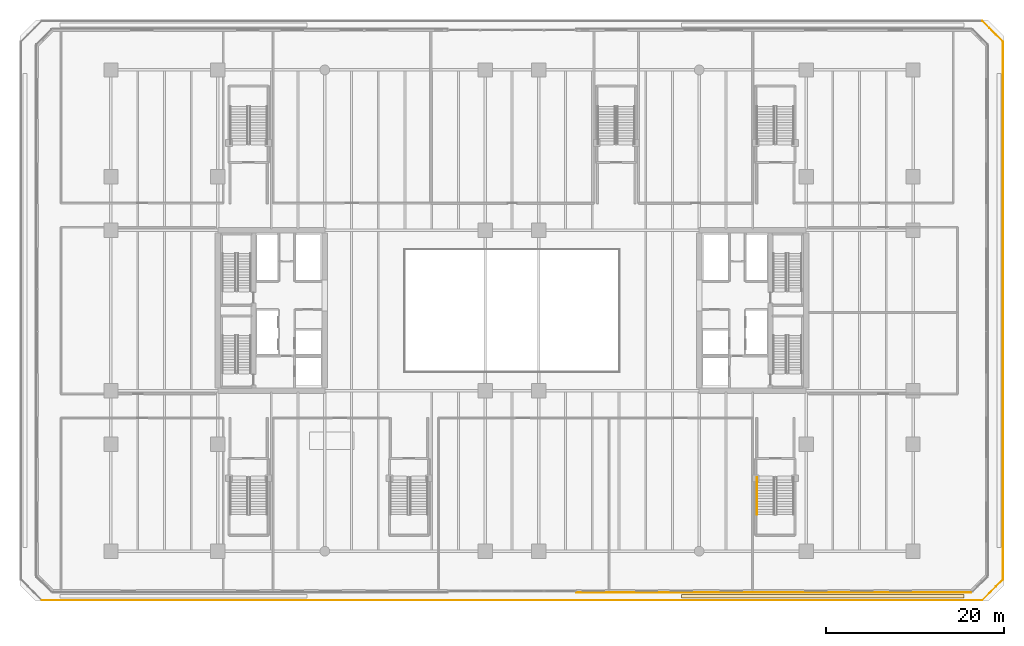
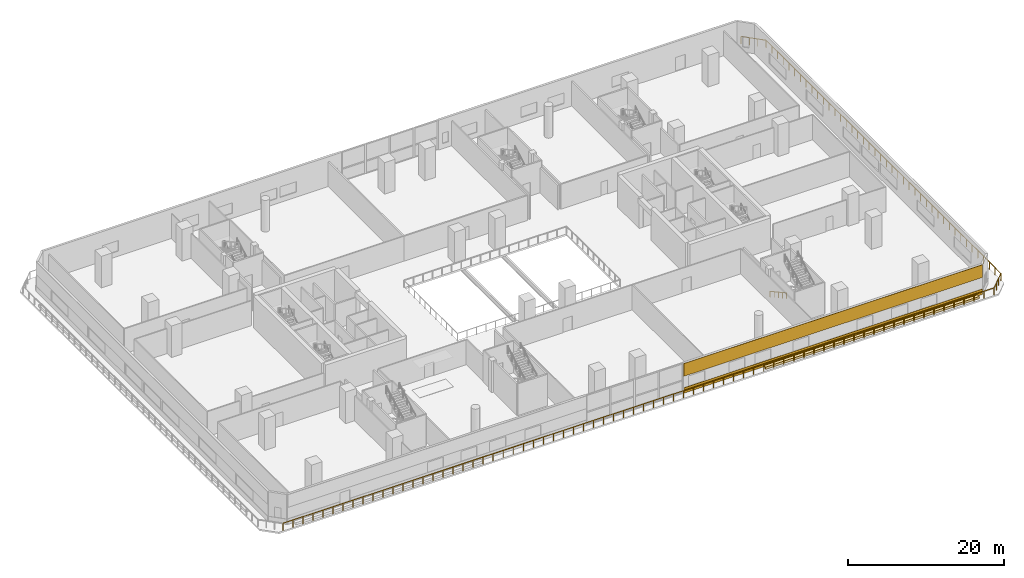
# One storey, part 24 of 27: 3 coverings, 2 railings.
"""IFC4 building model written with IfcOpenShell, lengths in metres."""

from ifc_helpers import new_model, si_unit, direction, frame, origin, origin_2d, place, context, subcontext, project, spatial, polyline, rectangle, outline, extrude, material, layer, layer_set, type_object, element, save


model = new_model("IFC4")

# Units and contexts
model_context = context("Model", 3, precision=1e-05, world=origin(), true_north=direction((0.0, 1.0)))
body_context = subcontext(model_context, "Body", "Model", "MODEL_VIEW")
ifc_project = project(units=[si_unit("LENGTHUNIT", "METRE"), si_unit("AREAUNIT", "SQUARE_METRE"), si_unit("VOLUMEUNIT", "CUBIC_METRE"), si_unit("PLANEANGLEUNIT", "RADIAN"), si_unit("MASSUNIT", "GRAM", prefix="KILO")], contexts=[model_context])

# Site, building, storey
site_placement = place(None, origin())
site = spatial("IfcSite", under=ifc_project, at=site_placement, CompositionType="ELEMENT")
building_placement = place(site_placement, origin())
building = spatial("IfcBuilding", under=site, at=building_placement, Name="Tanjung Sevakor Pilgrim Tower", CompositionType="ELEMENT")
storey_placement = place(building_placement, frame((0.0, 0.0, 9.89990234375)))
storey = spatial("IfcBuildingStorey", under=building, at=storey_placement, Name="L03", CompositionType="ELEMENT", Elevation=9.89990234375)

# Coverings
ifc_material_1 = material(Name="Reconstructed Limestone Cladding", Category="masonry")
ifc_layer_1 = layer(ifc_material_1, 0.044921875)
ifc_layer_set_1 = layer_set([ifc_layer_1], Name="COV-CLAD-LIMESTONE")
covering_type_1 = type_object("IfcCoveringType", Name="COV-CLAD-LIMESTONE", PredefinedType="CLADDING", material=ifc_layer_set_1)
covering_1_placement = place(storey_placement, frame((86.368896484375, 1.9775390625, 0.01025390625), z_axis=(0.0, 0.0, 1.0), x_axis=(1.0, 0.0, 0.0)))
element("IfcCovering", 1, at=covering_1_placement, inside=storey, type_object=covering_type_1, Name="L03 Warm Limestone Sill Spandrel EW-L03-S2-1", PredefinedType="CLADDING", context=body_context, shape_type="SweptSolid", body=[
    extrude(rectangle(XDim=44.2578125, YDim=0.044921875, at=origin_2d()), origin(), (0.0, 0.0, 1.0), 0.840087890625),
])
covering_2_placement = place(storey_placement, frame((86.368896484375, 1.9775390625, 2.66015625), z_axis=(0.0, 0.0, 1.0), x_axis=(1.0, 0.0, 0.0)))
element("IfcCovering", 2, at=covering_2_placement, inside=storey, type_object=covering_type_1, Name="L03 Warm Limestone Cornice Spandrel EW-L03-S2", PredefinedType="CLADDING", context=body_context, shape_type="SweptSolid", body=[
    extrude(rectangle(XDim=44.2978515625, YDim=0.044921875, at=origin_2d()), origin(), (0.0, 0.0, 1.0), 2.0),
])
ifc_material_2 = material(Name="Vegetated Modular Planter Assembly", Category="organic")
ifc_layer_2 = layer(ifc_material_2, 0.35009765625)
ifc_layer_set_2 = layer_set([ifc_layer_2], Name="COV-GRN-TROUGH")
covering_type_2 = type_object("IfcCoveringType", Name="COV-GRN-TROUGH", PredefinedType="CLADDING", material=ifc_layer_set_2)
covering_3_placement = place(storey_placement, origin())
element("IfcCovering", 3, at=covering_3_placement, inside=storey, type_object=covering_type_2, Name="L03 Planted Landscape Hedge Trough PGRN-L03-SE", PredefinedType="CLADDING", context=body_context, shape_type="SweptSolid", body=[
    extrude(outline(polyline([(76.0, 1.330078125), (107.699951171875, 1.330078125), (107.699951171875, 1.77001953125), (76.0, 1.77001953125), (76.0, 1.330078125)])), origin(), (0.0, 0.0, 1.0), 0.35009765625),
])

# Railings
ifc_material_3 = material(Name="Steel S355J2", Category="steel")
railing_type_1 = type_object("IfcRailingType", Name="RL-EXT-GUARD", PredefinedType="GUARDRAIL", material=ifc_material_3)
railing_1_placement = place(storey_placement, frame((4.241455078125, 1.10009765625, 0.0)))
element("IfcRailing", 4, at=railing_1_placement, inside=storey, type_object=railing_type_1, Name="L03 Terrace Perimeter Guardrail GR-PODTER-L03-1", PredefinedType="GUARDRAIL", context=body_context, shape_type="SweptSolid", body=[
    extrude(rectangle(XDim=0.0479, YDim=0.0479), frame((0.0, 0.0, 1.1259765625), z_axis=(1.0, 0.0, 0.0), x_axis=(0.0, 1.0, 0.0)), (0.0, 0.0, 1.0), 105.51708984375),
    extrude(rectangle(XDim=0.0479, YDim=0.0479), frame((105.51708984375, 0.0, 1.1259765625), z_axis=(0.707143645185, 0.707069915266, 0.0), x_axis=(-0.707069915266, 0.707143645185, 0.0)), (0.0, 0.0, 1.0), 3.311279296875),
    extrude(rectangle(XDim=0.0479, YDim=0.0479), frame((107.858642578125, 2.34130859375, 1.1259765625), z_axis=(0.0, 1.0, 0.0), x_axis=(-1.0, 0.0, 0.0)), (0.0, 0.0, 1.0), 60.317138671875),
    extrude(rectangle(XDim=0.0479, YDim=0.0479), frame((107.858642578125, 62.658447265625, 1.1259765625), z_axis=(-0.707106781187, 0.707106781187, 0.0), x_axis=(-0.707106781187, -0.707106781187, 0.0)), (0.0, 0.0, 1.0), 3.3115234375),
    extrude(rectangle(XDim=0.042, YDim=0.042), origin(), (0.0, 0.0, 1.0), 1.101806640625),
    extrude(rectangle(XDim=0.042, YDim=0.042), frame((1.486083984375, 0.0, 0.0)), (0.0, 0.0, 1.0), 1.101806640625),
    extrude(rectangle(XDim=0.042, YDim=0.042), frame((2.972412109375, 0.0, 0.0)), (0.0, 0.0, 1.0), 1.101806640625),
    extrude(rectangle(XDim=0.042, YDim=0.042), frame((4.45849609375, 0.0, 0.0)), (0.0, 0.0, 1.0), 1.101806640625),
    extrude(rectangle(XDim=0.042, YDim=0.042), frame((5.944580078125, 0.0, 0.0)), (0.0, 0.0, 1.0), 1.101806640625),
    extrude(rectangle(XDim=0.042, YDim=0.042), frame((7.4306640625, 0.0, 0.0)), (0.0, 0.0, 1.0), 1.101806640625),
    extrude(rectangle(XDim=0.042, YDim=0.042), frame((8.9169921875, 0.0, 0.0)), (0.0, 0.0, 1.0), 1.101806640625),
    extrude(rectangle(XDim=0.042, YDim=0.042), frame((10.403076171875, 0.0, 0.0)), (0.0, 0.0, 1.0), 1.101806640625),
    extrude(rectangle(XDim=0.042, YDim=0.042), frame((11.88916015625, 0.0, 0.0)), (0.0, 0.0, 1.0), 1.101806640625),
    extrude(rectangle(XDim=0.042, YDim=0.042), frame((13.37548828125, 0.0, 0.0)), (0.0, 0.0, 1.0), 1.101806640625),
    extrude(rectangle(XDim=0.042, YDim=0.042), frame((14.861572265625, 0.0, 0.0)), (0.0, 0.0, 1.0), 1.101806640625),
    extrude(rectangle(XDim=0.042, YDim=0.042), frame((16.34765625, 0.0, 0.0)), (0.0, 0.0, 1.0), 1.101806640625),
    extrude(rectangle(XDim=0.042, YDim=0.042), frame((17.833984375, 0.0, 0.0)), (0.0, 0.0, 1.0), 1.101806640625),
    extrude(rectangle(XDim=0.042, YDim=0.042), frame((19.320068359375, 0.0, 0.0)), (0.0, 0.0, 1.0), 1.101806640625),
    extrude(rectangle(XDim=0.042, YDim=0.042), frame((20.80615234375, 0.0, 0.0)), (0.0, 0.0, 1.0), 1.101806640625),
    extrude(rectangle(XDim=0.042, YDim=0.042), frame((22.292236328125, 0.0, 0.0)), (0.0, 0.0, 1.0), 1.101806640625),
    extrude(rectangle(XDim=0.042, YDim=0.042), frame((23.778564453125, 0.0, 0.0)), (0.0, 0.0, 1.0), 1.101806640625),
    extrude(rectangle(XDim=0.042, YDim=0.042), frame((25.2646484375, 0.0, 0.0)), (0.0, 0.0, 1.0), 1.101806640625),
    extrude(rectangle(XDim=0.042, YDim=0.042), frame((26.750732421875, 0.0, 0.0)), (0.0, 0.0, 1.0), 1.101806640625),
    extrude(rectangle(XDim=0.042, YDim=0.042), frame((28.237060546875, 0.0, 0.0)), (0.0, 0.0, 1.0), 1.101806640625),
    extrude(rectangle(XDim=0.042, YDim=0.042), frame((29.72314453125, 0.0, 0.0)), (0.0, 0.0, 1.0), 1.101806640625),
    extrude(rectangle(XDim=0.042, YDim=0.042), frame((31.209228515625, 0.0, 0.0)), (0.0, 0.0, 1.0), 1.101806640625),
    extrude(rectangle(XDim=0.042, YDim=0.042), frame((32.695556640625, 0.0, 0.0)), (0.0, 0.0, 1.0), 1.101806640625),
    extrude(rectangle(XDim=0.042, YDim=0.042), frame((34.181640625, 0.0, 0.0)), (0.0, 0.0, 1.0), 1.101806640625),
    extrude(rectangle(XDim=0.042, YDim=0.042), frame((35.667724609375, 0.0, 0.0)), (0.0, 0.0, 1.0), 1.101806640625),
    extrude(rectangle(XDim=0.042, YDim=0.042), frame((37.15380859375, 0.0, 0.0)), (0.0, 0.0, 1.0), 1.101806640625),
    extrude(rectangle(XDim=0.042, YDim=0.042), frame((38.64013671875, 0.0, 0.0)), (0.0, 0.0, 1.0), 1.101806640625),
    extrude(rectangle(XDim=0.042, YDim=0.042), frame((40.126220703125, 0.0, 0.0)), (0.0, 0.0, 1.0), 1.101806640625),
    extrude(rectangle(XDim=0.042, YDim=0.042), frame((41.6123046875, 0.0, 0.0)), (0.0, 0.0, 1.0), 1.101806640625),
    extrude(rectangle(XDim=0.042, YDim=0.042), frame((43.0986328125, 0.0, 0.0)), (0.0, 0.0, 1.0), 1.101806640625),
    extrude(rectangle(XDim=0.042, YDim=0.042), frame((44.584716796875, 0.0, 0.0)), (0.0, 0.0, 1.0), 1.101806640625),
    extrude(rectangle(XDim=0.042, YDim=0.042), frame((46.07080078125, 0.0, 0.0)), (0.0, 0.0, 1.0), 1.101806640625),
    extrude(rectangle(XDim=0.042, YDim=0.042), frame((47.556884765625, 0.0, 0.0)), (0.0, 0.0, 1.0), 1.101806640625),
    extrude(rectangle(XDim=0.042, YDim=0.042), frame((49.043212890625, 0.0, 0.0)), (0.0, 0.0, 1.0), 1.101806640625),
    extrude(rectangle(XDim=0.042, YDim=0.042), frame((50.529296875, 0.0, 0.0)), (0.0, 0.0, 1.0), 1.101806640625),
    extrude(rectangle(XDim=0.042, YDim=0.042), frame((52.015380859375, 0.0, 0.0)), (0.0, 0.0, 1.0), 1.101806640625),
    extrude(rectangle(XDim=0.042, YDim=0.042), frame((53.501708984375, 0.0, 0.0)), (0.0, 0.0, 1.0), 1.101806640625),
    extrude(rectangle(XDim=0.042, YDim=0.042), frame((54.98779296875, 0.0, 0.0)), (0.0, 0.0, 1.0), 1.101806640625),
    extrude(rectangle(XDim=0.042, YDim=0.042), frame((56.473876953125, 0.0, 0.0)), (0.0, 0.0, 1.0), 1.101806640625),
    extrude(rectangle(XDim=0.042, YDim=0.042), frame((57.960205078125, 0.0, 0.0)), (0.0, 0.0, 1.0), 1.101806640625),
    extrude(rectangle(XDim=0.042, YDim=0.042), frame((59.4462890625, 0.0, 0.0)), (0.0, 0.0, 1.0), 1.101806640625),
    extrude(rectangle(XDim=0.042, YDim=0.042), frame((60.932373046875, 0.0, 0.0)), (0.0, 0.0, 1.0), 1.101806640625),
    extrude(rectangle(XDim=0.042, YDim=0.042), frame((62.41845703125, 0.0, 0.0)), (0.0, 0.0, 1.0), 1.101806640625),
    extrude(rectangle(XDim=0.042, YDim=0.042), frame((63.90478515625, 0.0, 0.0)), (0.0, 0.0, 1.0), 1.101806640625),
    extrude(rectangle(XDim=0.042, YDim=0.042), frame((65.390869140625, 0.0, 0.0)), (0.0, 0.0, 1.0), 1.101806640625),
    extrude(rectangle(XDim=0.042, YDim=0.042), frame((66.876953125, 0.0, 0.0)), (0.0, 0.0, 1.0), 1.101806640625),
    extrude(rectangle(XDim=0.042, YDim=0.042), frame((68.36328125, 0.0, 0.0)), (0.0, 0.0, 1.0), 1.101806640625),
    extrude(rectangle(XDim=0.042, YDim=0.042), frame((69.849365234375, 0.0, 0.0)), (0.0, 0.0, 1.0), 1.101806640625),
    extrude(rectangle(XDim=0.042, YDim=0.042), frame((71.33544921875, 0.0, 0.0)), (0.0, 0.0, 1.0), 1.101806640625),
    extrude(rectangle(XDim=0.042, YDim=0.042), frame((72.821533203125, 0.0, 0.0)), (0.0, 0.0, 1.0), 1.101806640625),
    extrude(rectangle(XDim=0.042, YDim=0.042), frame((74.307861328125, 0.0, 0.0)), (0.0, 0.0, 1.0), 1.101806640625),
    extrude(rectangle(XDim=0.042, YDim=0.042), frame((75.7939453125, 0.0, 0.0)), (0.0, 0.0, 1.0), 1.101806640625),
    extrude(rectangle(XDim=0.042, YDim=0.042), frame((77.280029296875, 0.0, 0.0)), (0.0, 0.0, 1.0), 1.101806640625),
    extrude(rectangle(XDim=0.042, YDim=0.042), frame((78.766357421875, 0.0, 0.0)), (0.0, 0.0, 1.0), 1.101806640625),
    extrude(rectangle(XDim=0.042, YDim=0.042), frame((80.25244140625, 0.0, 0.0)), (0.0, 0.0, 1.0), 1.101806640625),
    extrude(rectangle(XDim=0.042, YDim=0.042), frame((81.738525390625, 0.0, 0.0)), (0.0, 0.0, 1.0), 1.101806640625),
    extrude(rectangle(XDim=0.042, YDim=0.042), frame((83.224853515625, 0.0, 0.0)), (0.0, 0.0, 1.0), 1.101806640625),
    extrude(rectangle(XDim=0.042, YDim=0.042), frame((84.7109375, 0.0, 0.0)), (0.0, 0.0, 1.0), 1.101806640625),
    extrude(rectangle(XDim=0.042, YDim=0.042), frame((86.197021484375, 0.0, 0.0)), (0.0, 0.0, 1.0), 1.101806640625),
    extrude(rectangle(XDim=0.042, YDim=0.042), frame((87.68310546875, 0.0, 0.0)), (0.0, 0.0, 1.0), 1.101806640625),
    extrude(rectangle(XDim=0.042, YDim=0.042), frame((89.16943359375, 0.0, 0.0)), (0.0, 0.0, 1.0), 1.101806640625),
    extrude(rectangle(XDim=0.042, YDim=0.042), frame((90.655517578125, 0.0, 0.0)), (0.0, 0.0, 1.0), 1.101806640625),
    extrude(rectangle(XDim=0.042, YDim=0.042), frame((92.1416015625, 0.0, 0.0)), (0.0, 0.0, 1.0), 1.101806640625),
    extrude(rectangle(XDim=0.042, YDim=0.042), frame((93.6279296875, 0.0, 0.0)), (0.0, 0.0, 1.0), 1.101806640625),
    extrude(rectangle(XDim=0.042, YDim=0.042), frame((95.114013671875, 0.0, 0.0)), (0.0, 0.0, 1.0), 1.101806640625),
    extrude(rectangle(XDim=0.042, YDim=0.042), frame((96.60009765625, 0.0, 0.0)), (0.0, 0.0, 1.0), 1.101806640625),
    extrude(rectangle(XDim=0.042, YDim=0.042), frame((98.08642578125, 0.0, 0.0)), (0.0, 0.0, 1.0), 1.101806640625),
    extrude(rectangle(XDim=0.042, YDim=0.042), frame((99.572509765625, 0.0, 0.0)), (0.0, 0.0, 1.0), 1.101806640625),
    extrude(rectangle(XDim=0.042, YDim=0.042), frame((101.05859375, 0.0, 0.0)), (0.0, 0.0, 1.0), 1.101806640625),
    extrude(rectangle(XDim=0.042, YDim=0.042), frame((102.544677734375, 0.0, 0.0)), (0.0, 0.0, 1.0), 1.101806640625),
    extrude(rectangle(XDim=0.042, YDim=0.042), frame((104.031005859375, 0.0, 0.0)), (0.0, 0.0, 1.0), 1.101806640625),
    extrude(rectangle(XDim=0.042, YDim=0.042), frame((105.51708984375, 0.0, 0.0)), (0.0, 0.0, 1.0), 1.101806640625),
    extrude(rectangle(XDim=0.042, YDim=0.042), frame((106.297607421875, 0.780517578125, 0.0)), (0.0, 0.0, 1.0), 1.101806640625),
    extrude(rectangle(XDim=0.042, YDim=0.042), frame((107.078125, 1.560791015625, 0.0)), (0.0, 0.0, 1.0), 1.101806640625),
    extrude(rectangle(XDim=0.042, YDim=0.042), frame((107.858642578125, 2.34130859375, 0.0)), (0.0, 0.0, 1.0), 1.101806640625),
    extrude(rectangle(XDim=0.042, YDim=0.042), frame((107.858642578125, 3.8125, 0.0)), (0.0, 0.0, 1.0), 1.101806640625),
    extrude(rectangle(XDim=0.042, YDim=0.042), frame((107.858642578125, 5.28369140625, 0.0)), (0.0, 0.0, 1.0), 1.101806640625),
    extrude(rectangle(XDim=0.042, YDim=0.042), frame((107.858642578125, 6.754638671875, 0.0)), (0.0, 0.0, 1.0), 1.101806640625),
    extrude(rectangle(XDim=0.042, YDim=0.042), frame((107.858642578125, 8.225830078125, 0.0)), (0.0, 0.0, 1.0), 1.101806640625),
    extrude(rectangle(XDim=0.042, YDim=0.042), frame((107.858642578125, 9.697021484375, 0.0)), (0.0, 0.0, 1.0), 1.101806640625),
    extrude(rectangle(XDim=0.042, YDim=0.042), frame((107.858642578125, 11.168212890625, 0.0)), (0.0, 0.0, 1.0), 1.101806640625),
    extrude(rectangle(XDim=0.042, YDim=0.042), frame((107.858642578125, 12.639404296875, 0.0)), (0.0, 0.0, 1.0), 1.101806640625),
    extrude(rectangle(XDim=0.042, YDim=0.042), frame((107.858642578125, 14.110595703125, 0.0)), (0.0, 0.0, 1.0), 1.101806640625),
    extrude(rectangle(XDim=0.042, YDim=0.042), frame((107.858642578125, 15.58154296875, 0.0)), (0.0, 0.0, 1.0), 1.101806640625),
    extrude(rectangle(XDim=0.042, YDim=0.042), frame((107.858642578125, 17.052734375, 0.0)), (0.0, 0.0, 1.0), 1.101806640625),
    extrude(rectangle(XDim=0.042, YDim=0.042), frame((107.858642578125, 18.52392578125, 0.0)), (0.0, 0.0, 1.0), 1.101806640625),
    extrude(rectangle(XDim=0.042, YDim=0.042), frame((107.858642578125, 19.9951171875, 0.0)), (0.0, 0.0, 1.0), 1.101806640625),
    extrude(rectangle(XDim=0.042, YDim=0.042), frame((107.858642578125, 21.46630859375, 0.0)), (0.0, 0.0, 1.0), 1.101806640625),
    extrude(rectangle(XDim=0.042, YDim=0.042), frame((107.858642578125, 22.9375, 0.0)), (0.0, 0.0, 1.0), 1.101806640625),
    extrude(rectangle(XDim=0.042, YDim=0.042), frame((107.858642578125, 24.408447265625, 0.0)), (0.0, 0.0, 1.0), 1.101806640625),
    extrude(rectangle(XDim=0.042, YDim=0.042), frame((107.858642578125, 25.879638671875, 0.0)), (0.0, 0.0, 1.0), 1.101806640625),
    extrude(rectangle(XDim=0.042, YDim=0.042), frame((107.858642578125, 27.350830078125, 0.0)), (0.0, 0.0, 1.0), 1.101806640625),
    extrude(rectangle(XDim=0.042, YDim=0.042), frame((107.858642578125, 28.822021484375, 0.0)), (0.0, 0.0, 1.0), 1.101806640625),
    extrude(rectangle(XDim=0.042, YDim=0.042), frame((107.858642578125, 30.293212890625, 0.0)), (0.0, 0.0, 1.0), 1.101806640625),
    extrude(rectangle(XDim=0.042, YDim=0.042), frame((107.858642578125, 31.764404296875, 0.0)), (0.0, 0.0, 1.0), 1.101806640625),
    extrude(rectangle(XDim=0.042, YDim=0.042), frame((107.858642578125, 33.2353515625, 0.0)), (0.0, 0.0, 1.0), 1.101806640625),
    extrude(rectangle(XDim=0.042, YDim=0.042), frame((107.858642578125, 34.70654296875, 0.0)), (0.0, 0.0, 1.0), 1.101806640625),
    extrude(rectangle(XDim=0.042, YDim=0.042), frame((107.858642578125, 36.177734375, 0.0)), (0.0, 0.0, 1.0), 1.101806640625),
    extrude(rectangle(XDim=0.042, YDim=0.042), frame((107.858642578125, 37.64892578125, 0.0)), (0.0, 0.0, 1.0), 1.101806640625),
    extrude(rectangle(XDim=0.042, YDim=0.042), frame((107.858642578125, 39.1201171875, 0.0)), (0.0, 0.0, 1.0), 1.101806640625),
    extrude(rectangle(XDim=0.042, YDim=0.042), frame((107.858642578125, 40.59130859375, 0.0)), (0.0, 0.0, 1.0), 1.101806640625),
    extrude(rectangle(XDim=0.042, YDim=0.042), frame((107.858642578125, 42.062255859375, 0.0)), (0.0, 0.0, 1.0), 1.101806640625),
    extrude(rectangle(XDim=0.042, YDim=0.042), frame((107.858642578125, 43.533447265625, 0.0)), (0.0, 0.0, 1.0), 1.101806640625),
    extrude(rectangle(XDim=0.042, YDim=0.042), frame((107.858642578125, 45.004638671875, 0.0)), (0.0, 0.0, 1.0), 1.101806640625),
    extrude(rectangle(XDim=0.042, YDim=0.042), frame((107.858642578125, 46.475830078125, 0.0)), (0.0, 0.0, 1.0), 1.101806640625),
    extrude(rectangle(XDim=0.042, YDim=0.042), frame((107.858642578125, 47.947021484375, 0.0)), (0.0, 0.0, 1.0), 1.101806640625),
    extrude(rectangle(XDim=0.042, YDim=0.042), frame((107.858642578125, 49.418212890625, 0.0)), (0.0, 0.0, 1.0), 1.101806640625),
    extrude(rectangle(XDim=0.042, YDim=0.042), frame((107.858642578125, 50.88916015625, 0.0)), (0.0, 0.0, 1.0), 1.101806640625),
    extrude(rectangle(XDim=0.042, YDim=0.042), frame((107.858642578125, 52.3603515625, 0.0)), (0.0, 0.0, 1.0), 1.101806640625),
    extrude(rectangle(XDim=0.042, YDim=0.042), frame((107.858642578125, 53.83154296875, 0.0)), (0.0, 0.0, 1.0), 1.101806640625),
    extrude(rectangle(XDim=0.042, YDim=0.042), frame((107.858642578125, 55.302734375, 0.0)), (0.0, 0.0, 1.0), 1.101806640625),
    extrude(rectangle(XDim=0.042, YDim=0.042), frame((107.858642578125, 56.77392578125, 0.0)), (0.0, 0.0, 1.0), 1.101806640625),
    extrude(rectangle(XDim=0.042, YDim=0.042), frame((107.858642578125, 58.2451171875, 0.0)), (0.0, 0.0, 1.0), 1.101806640625),
    extrude(rectangle(XDim=0.042, YDim=0.042), frame((107.858642578125, 59.716064453125, 0.0)), (0.0, 0.0, 1.0), 1.101806640625),
    extrude(rectangle(XDim=0.042, YDim=0.042), frame((107.858642578125, 61.187255859375, 0.0)), (0.0, 0.0, 1.0), 1.101806640625),
    extrude(rectangle(XDim=0.042, YDim=0.042), frame((107.858642578125, 62.658447265625, 0.0)), (0.0, 0.0, 1.0), 1.101806640625),
    extrude(rectangle(XDim=0.042, YDim=0.042), frame((107.078125, 63.43896484375, 0.0)), (0.0, 0.0, 1.0), 1.101806640625),
    extrude(rectangle(XDim=0.042, YDim=0.042), frame((106.297607421875, 64.219482421875, 0.0)), (0.0, 0.0, 1.0), 1.101806640625),
    extrude(rectangle(XDim=0.042, YDim=0.042), frame((105.51708984375, 65.0, 0.0)), (0.0, 0.0, 1.0), 1.101806640625),
])
ifc_material_4 = material(Name="Steel S355J2", Category="steel")
railing_type_2 = type_object("IfcRailingType", Name="RL-STAIR-HAND", PredefinedType="HANDRAIL", material=ifc_material_4)
railing_2_placement = place(storey_placement, frame((84.5, 14.89990234375, 0.1650390625)))
element("IfcRailing", 5, at=railing_2_placement, inside=storey, type_object=railing_type_2, Name="L03 PS-5 stair handrail 1", PredefinedType="HANDRAIL", context=body_context, shape_type="SweptSolid", body=[
    extrude(rectangle(XDim=0.0479, YDim=0.0479), frame((0.0, 0.0, 0.8759765625), z_axis=(0.0, -0.876208380975, 0.481932436249), x_axis=(1.0, 0.0, 0.0)), (0.0, 0.0, 1.0), 4.793212890625),
    extrude(rectangle(XDim=0.042, YDim=0.042), origin(), (0.0, 0.0, 1.0), 0.851806640625),
    extrude(rectangle(XDim=0.042, YDim=0.042), frame((0.0, -1.050048828125, 0.57763671875)), (0.0, 0.0, 1.0), 0.851806640625),
    extrude(rectangle(XDim=0.042, YDim=0.042), frame((0.0, -2.10009765625, 1.155029296875)), (0.0, 0.0, 1.0), 0.851806640625),
    extrude(rectangle(XDim=0.042, YDim=0.042), frame((0.0, -3.14990234375, 1.732421875)), (0.0, 0.0, 1.0), 0.851806640625),
    extrude(rectangle(XDim=0.042, YDim=0.042), frame((0.0, -4.199951171875, 2.31005859375)), (0.0, 0.0, 1.0), 0.851806640625),
])

save(model, "model.ifc")
